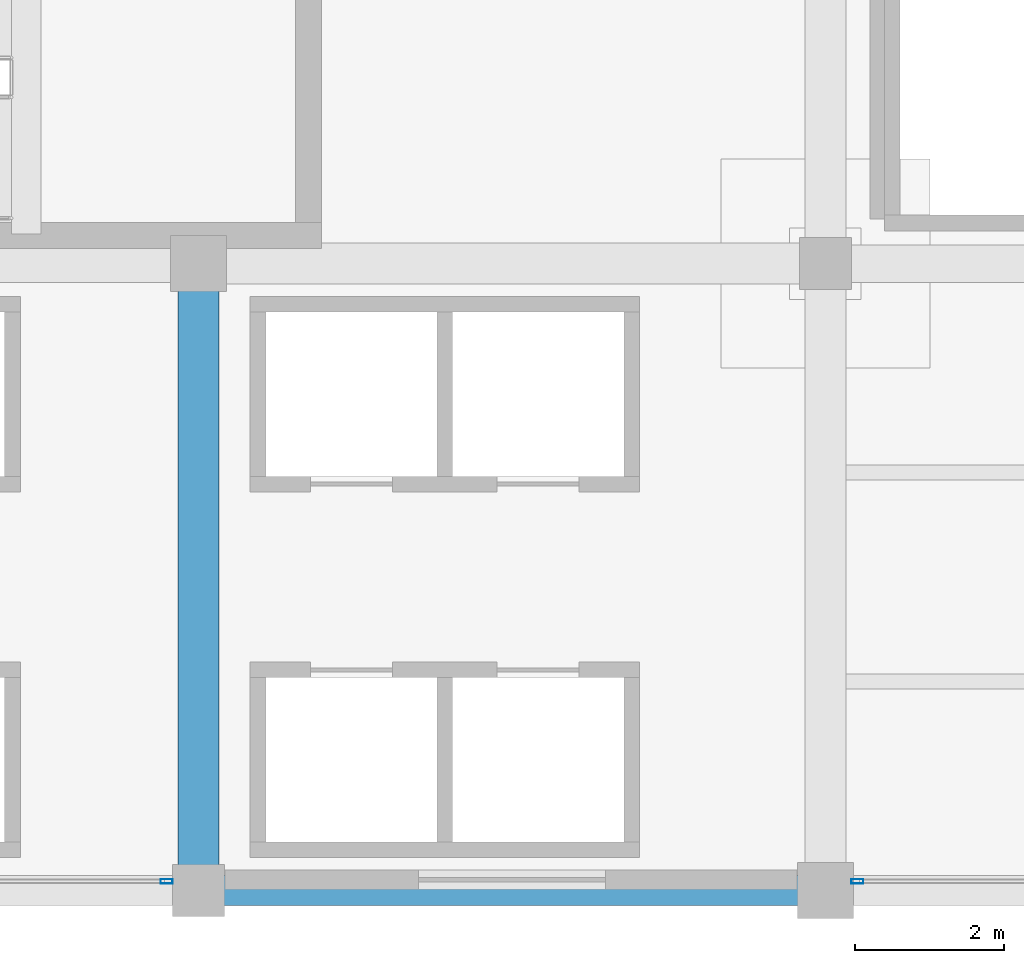
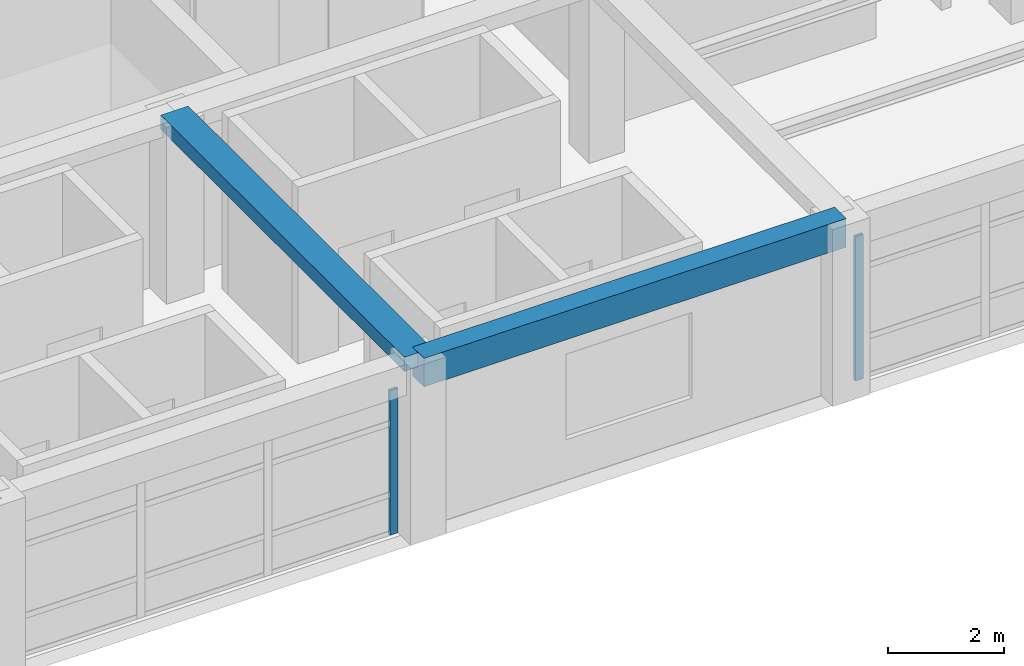
# One storey, part 5 of 31: 2 beams, 2 members, 2 elements without a shape of their own.
"""IFC4 building model written with IfcOpenShell, lengths in metres."""

import ifcopenshell
import ifcopenshell.guid

model = None  # the IFC model being written
_history = None  # IfcOwnerHistory: only IFC2X3 demands one
_inside = {}  # id of a spatial element -> (the spatial element, [elements in it])
_under = {}  # id of a project, library or spatial element -> (it, [spatial elements below it])
_declared = {}  # id of a project -> (the project, [libraries it declares])
_typed = {}  # id of a type object -> (the type object, [elements of that type])
_made_of = {}  # id of a material, layer set ... -> (it, [elements and type objects made of it])


def new_model(schema):
    """Start an empty IFC model of exactly this schema.

    Asked for "IFC4X3", IfcOpenShell would pick the latest addendum, in which some entities
    have other attributes; the version numbers below select the first issue.
    IFC2X3 requires an IfcOwnerHistory on every rooted entity: one is made here for all.
    """
    global model, _history
    if schema == "IFC4X3":
        model = ifcopenshell.file(schema_version=(4, 3, 0, 0))
    else:
        model = ifcopenshell.file(schema=schema)
    _inside.clear()
    _under.clear()
    _declared.clear()
    _typed.clear()
    _made_of.clear()
    _history = None
    if model.schema == "IFC2X3":
        org = make("IfcOrganization", Name="unknown")
        user = make(
            "IfcPersonAndOrganization",
            ThePerson=make("IfcPerson", FamilyName="unknown"),
            TheOrganization=org,
        )
        app = make(
            "IfcApplication",
            ApplicationDeveloper=org,
            Version="unknown",
            ApplicationFullName="unknown",
            ApplicationIdentifier="unknown",
        )
        _history = make(
            "IfcOwnerHistory",
            OwningUser=user,
            OwningApplication=app,
            ChangeAction="ADDED",
            CreationDate=0,
        )
    return model


def make(cls, **values):
    """One entity of the class cls with the attributes given. An attribute that is None is left unset."""
    return model.create_entity(
        cls, **{name: value for name, value in values.items() if value is not None}
    )


def rooted(cls, **values):
    """An entity with a GlobalId (a new one), such as an element, a storey or a relation."""
    return make(cls, GlobalId=ifcopenshell.guid.new(), OwnerHistory=_history, **values)


def si_unit(unit_type, name, prefix=None):
    """IfcSIUnit, for example si_unit("LENGTHUNIT", "METRE", prefix="MILLI")."""
    return make("IfcSIUnit", UnitType=unit_type, Prefix=prefix, Name=name)


def assignment(units):
    """IfcUnitAssignment: the units of a project."""
    return None if units is None else make("IfcUnitAssignment", Units=units)


def point(xyz):
    """IfcCartesianPoint."""
    return None if xyz is None else make("IfcCartesianPoint", Coordinates=xyz)


def direction(xyz):
    """IfcDirection."""
    return None if xyz is None else make("IfcDirection", DirectionRatios=xyz)


def frame(location, z_axis=None, x_axis=None):
    """IfcAxis2Placement3D, a coordinate frame: its origin and axes. An axis left out is left unset."""
    return make(
        "IfcAxis2Placement3D",
        Location=point(location),
        Axis=direction(z_axis),
        RefDirection=direction(x_axis),
    )


def frame_2d(location, x_axis=None):
    """IfcAxis2Placement2D, a coordinate frame in the plane: its origin and x axis."""
    return make(
        "IfcAxis2Placement2D", Location=point(location), RefDirection=direction(x_axis)
    )


def origin():
    """The frame at (0, 0, 0) with its axes left unset."""
    return frame((0.0, 0.0, 0.0))


def origin_2d():
    """The frame at (0, 0) in the plane with its x axis left unset."""
    return frame_2d((0.0, 0.0))


def place(relative_to, where):
    """IfcLocalPlacement: puts the frame where relative to a parent placement (None: the world)."""
    return make(
        "IfcLocalPlacement", PlacementRelTo=relative_to, RelativePlacement=where
    )


def context(
    kind, dimensions, precision=None, world=None, true_north=None, identifier=None
):
    """IfcGeometricRepresentationContext, for example the 3D "Model" context."""
    return make(
        "IfcGeometricRepresentationContext",
        ContextIdentifier=identifier,
        ContextType=kind,
        CoordinateSpaceDimension=dimensions,
        Precision=precision,
        WorldCoordinateSystem=world,
        TrueNorth=true_north,
    )


def subcontext(parent, identifier, kind, view, scale=None):
    """IfcGeometricRepresentationSubContext, for example "Body" below "Model"."""
    return make(
        "IfcGeometricRepresentationSubContext",
        ContextIdentifier=identifier,
        ContextType=kind,
        ParentContext=parent,
        TargetScale=scale,
        TargetView=view,
    )


def project(units=None, contexts=None):
    """IfcProject with its units and contexts."""
    return rooted(
        "IfcProject",
        Name="project",
        RepresentationContexts=contexts,
        UnitsInContext=assignment(units),
    )


def spatial(cls, under=None, at=None, **own):
    """A site, building, storey or space (cls), placed at a placement, below another one or the project."""
    s = rooted(cls, ObjectPlacement=at, **own)
    if under is not None:
        _under.setdefault(under.id(), (under, []))[1].append(s)
    return s


def profile(cls, at=None, kind="AREA", **sizes):
    """A parametric profile (cls). Its sizes go by their IFC names, for example OverallWidth=200.0."""
    return make(cls, ProfileType=kind, Position=at, **sizes)


def rectangle(**sizes):
    """IfcRectangleProfileDef."""
    return profile("IfcRectangleProfileDef", **sizes)


def hollow_rectangle(**sizes):
    """IfcRectangleHollowProfileDef."""
    return profile("IfcRectangleHollowProfileDef", **sizes)


def extrude(swept, where, along, depth):
    """IfcExtrudedAreaSolid: the profile swept, set in the frame where, extruded along a direction by depth."""
    return make(
        "IfcExtrudedAreaSolid",
        SweptArea=swept,
        Position=where,
        ExtrudedDirection=direction(along),
        Depth=depth,
    )


def shape(context_of_items, identifier, shape_type, items):
    """IfcShapeRepresentation: the items that make up one representation, for example the "Body"."""
    return make(
        "IfcShapeRepresentation",
        ContextOfItems=context_of_items,
        RepresentationIdentifier=identifier,
        RepresentationType=shape_type,
        Items=items,
    )


def material(Name=None, Category=None):
    """IfcMaterial."""
    return make("IfcMaterial", Name=Name, Category=Category)


def material_profile(
    of_material, cross_section, Name=None, Category=None, Priority=None
):
    """IfcMaterialProfile: a cross section and its material."""
    return make(
        "IfcMaterialProfile",
        Name=Name,
        Material=of_material,
        Profile=cross_section,
        Priority=Priority,
        Category=Category,
    )


def profile_set(profiles, Name=None, composite=None):
    """IfcMaterialProfileSet."""
    return make(
        "IfcMaterialProfileSet",
        Name=Name,
        MaterialProfiles=profiles,
        CompositeProfile=composite,
    )


def made_of(thing, what):
    """Note that an element or type object is made of a material, layer set ...; save() writes the relation."""
    if what is not None:
        _made_of.setdefault(what.id(), (what, []))[1].append(thing)
    return thing


def type_object(cls, material=None, **own):
    """A type object (cls), such as IfcWallType, which elements share."""
    return made_of(rooted(cls, **own), material)


def element(
    cls,
    number,
    at=None,
    inside=None,
    cuts=None,
    type_object=None,
    material=None,
    context=None,
    identifier="Body",
    shape_type=None,
    held_by="IfcProductDefinitionShape",
    body=None,
    shapes=None,
    **own,
):
    """One element of the class cls, such as IfcWall. Its Tag is "e" and its number.

    at: its placement. inside: the storey or other place that contains it. cuts: it is an
    opening in that element (IfcRelVoidsElement). A single representation is given by context,
    identifier, shape_type and body (its items); several are given by shapes. held_by: the class
    of the entity that holds the representations. save() writes the other relations.
    """
    e = rooted(cls, Tag="e%d" % number, ObjectPlacement=at, **own)
    if body is not None:
        shapes = [shape(context, identifier, shape_type, body)]
    if shapes is not None:
        e.Representation = make(held_by, Representations=shapes)
    if inside is not None:
        _inside.setdefault(inside.id(), (inside, []))[1].append(e)
    if cuts is not None:
        rooted(
            "IfcRelVoidsElement", RelatingBuildingElement=cuts, RelatedOpeningElement=e
        )
    if type_object is not None:
        _typed.setdefault(type_object.id(), (type_object, []))[1].append(e)
    return made_of(e, material)


def aggregate(whole, parts):
    """IfcRelAggregates: a whole, such as a stair, and the parts it consists of."""
    return rooted("IfcRelAggregates", RelatingObject=whole, RelatedObjects=parts)


def save(model, path):
    """Write the relations noted so far, then the file.

    IfcRelAggregates (storeys below a building ...), IfcRelContainedInSpatialStructure (elements
    in a storey), IfcRelDefinesByType, IfcRelAssociatesMaterial and IfcRelDeclares: one each for
    every whole, place, type object, material and project.
    """
    for whole, parts in _under.values():
        aggregate(whole, parts)
    for where, things in _inside.values():
        rooted(
            "IfcRelContainedInSpatialStructure",
            RelatedElements=things,
            RelatingStructure=where,
        )
    for kind, things in _typed.values():
        rooted("IfcRelDefinesByType", RelatedObjects=things, RelatingType=kind)
    for what, things in _made_of.values():
        rooted("IfcRelAssociatesMaterial", RelatedObjects=things, RelatingMaterial=what)
    for by, libraries in _declared.values():
        rooted("IfcRelDeclares", RelatingContext=by, RelatedDefinitions=libraries)
    model.write(path)


model = new_model("IFC4")

# Units and contexts
model_context = context("Model", 3, precision=1e-05, world=origin(), true_north=direction((0.0, 1.0)))
body_context = subcontext(model_context, "Body", "Model", "MODEL_VIEW")
ifc_project = project(units=[si_unit("LENGTHUNIT", "METRE"), si_unit("AREAUNIT", "SQUARE_METRE"), si_unit("VOLUMEUNIT", "CUBIC_METRE"), si_unit("PLANEANGLEUNIT", "RADIAN"), si_unit("MASSUNIT", "GRAM", prefix="KILO")], contexts=[model_context])

# Site, building, storey
site_placement = place(None, origin())
site = spatial("IfcSite", under=ifc_project, at=site_placement, CompositionType="ELEMENT")
building_placement = place(site_placement, origin())
building = spatial("IfcBuilding", under=site, at=building_placement, Name="Almacenes y Pasaje Nevantli", CompositionType="ELEMENT")
storey_placement = place(building_placement, frame((0.0, 0.0, 34.699951171875)))
storey = spatial("IfcBuildingStorey", under=building, at=storey_placement, Name="L08", CompositionType="ELEMENT", Elevation=34.699951171875)

# Beams
ifc_material_1 = material(Name="Concrete C35/45", Category="concrete")
ifc_material_profile_1 = material_profile(ifc_material_1, rectangle(XDim=0.39990234375, YDim=0.60009765625, at=origin_2d()), Name="RC-BM-400x600")
ifc_profile_set_1 = profile_set([ifc_material_profile_1], Name="Concrete C35/45")
beam_type_1 = type_object("IfcBeamType", Name="BM-RC-400x600", PredefinedType="SPANDREL", material=ifc_profile_set_1)
beam_1_placement = place(storey_placement, frame((126.0, 67.199951171875, 3.420166015625), z_axis=(1.0, 0.0, 0.0), x_axis=(0.0, 1.0, 0.0)))
element("IfcBeam", 1, at=beam_1_placement, inside=storey, type_object=beam_type_1, Name="L08 East-West Reinforced Concrete Beam #3687", PredefinedType="SPANDREL", context=body_context, shape_type="SweptSolid", body=[
    extrude(rectangle(XDim=0.39990234375, YDim=0.60009765625, at=origin_2d()), origin(), (0.0, 0.0, 1.0), 8.39990234375),
])
ifc_material_2 = material(Name="Concrete C35/45", Category="concrete")
ifc_material_profile_2 = material_profile(ifc_material_2, rectangle(XDim=0.550048828125, YDim=0.300048828125, at=origin_2d()), Name="RC-BM-550x300")
ifc_profile_set_2 = profile_set([ifc_material_profile_2], Name="Concrete C35/45")
beam_type_2 = type_object("IfcBeamType", Name="BM-RC-550x300", PredefinedType="BEAM", material=ifc_profile_set_2)
beam_2_placement = place(storey_placement, frame((126.0, 67.199951171875, 3.570068359375), z_axis=(0.0, 1.0, 0.0), x_axis=(-1.0, 0.0, 0.0)))
element("IfcBeam", 2, at=beam_2_placement, inside=storey, type_object=beam_type_2, Name="L08 North-South Reinforced Concrete Beam #3723", PredefinedType="BEAM", context=body_context, shape_type="SweptSolid", body=[
    extrude(rectangle(XDim=0.550048828125, YDim=0.300048828125, at=origin_2d()), origin(), (0.0, 0.0, 1.0), 8.400146484375),
])

# Curtain wall, member
ifc_material_3 = material(Name="Thermally Broken Aluminium and Low-E Glass", Category="aluminium")
curtain_wall_type = type_object("IfcCurtainWallType", Name="CW-UNIT-TOWER", PredefinedType="USERDEFINED", material=ifc_material_3)
curtain_wall_1_placement = place(storey_placement, origin())
curtain_wall_1 = element("IfcCurtainWall", 3, at=curtain_wall_1_placement, inside=storey, type_object=curtain_wall_type, Name="L08 Tower South Unitized Curtain Wall Bay 15", ObjectType="UNITIZED CURTAIN WALL", PredefinedType="USERDEFINED")
ifc_material_4 = material(Name="Thermally Broken Anodized Aluminium", Category="aluminium")
ifc_material_profile_3 = material_profile(ifc_material_4, hollow_rectangle(XDim=0.06005859375, YDim=0.159912109375, WallThickness=0.00390625, at=origin_2d()), Name="ALU-MUL-60x160")
ifc_profile_set_3 = profile_set([ifc_material_profile_3], Name="Thermally Broken Anodized Aluminium")
member_type = type_object("IfcMemberType", Name="CW-MUL-180", PredefinedType="MULLION", material=ifc_profile_set_3)
member_1_placement = place(storey_placement, frame((125.570068359375, 67.320068359375, 0.0), z_axis=(0.0, 0.0, 1.0), x_axis=(0.0, 1.0, 0.0)))
member_1 = element("IfcMember", 4, at=member_1_placement, type_object=member_type, Name="CW-L08-122 mullion 4", PredefinedType="MULLION", context=body_context, shape_type="SweptSolid", body=[
    extrude(hollow_rectangle(XDim=0.06005859375, YDim=0.159912109375, WallThickness=0.00390625, at=origin_2d()), origin(), (0.0, 0.0, 1.0), 3.0400390625),
])
aggregate(curtain_wall_1, [member_1])

curtain_wall_2_placement = place(storey_placement, origin())
curtain_wall_2 = element("IfcCurtainWall", 5, at=curtain_wall_2_placement, inside=storey, type_object=curtain_wall_type, Name="L08 Tower South Unitized Curtain Wall Bay 17", ObjectType="UNITIZED CURTAIN WALL", PredefinedType="USERDEFINED")
member_2_placement = place(storey_placement, frame((134.830078125, 67.320068359375, 0.0), z_axis=(0.0, 0.0, 1.0), x_axis=(0.0, 1.0, 0.0)))
member_2 = element("IfcMember", 6, at=member_2_placement, type_object=member_type, Name="CW-L08-124 mullion 1", PredefinedType="MULLION", context=body_context, shape_type="SweptSolid", body=[
    extrude(hollow_rectangle(XDim=0.06005859375, YDim=0.159912109375, WallThickness=0.00390625, at=origin_2d()), origin(), (0.0, 0.0, 1.0), 3.0400390625),
])
aggregate(curtain_wall_2, [member_2])

save(model, "model.ifc")
